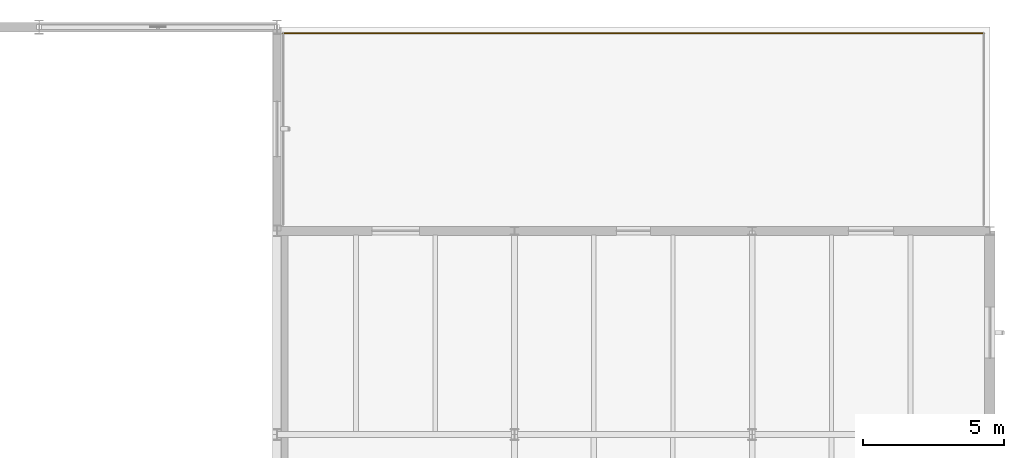
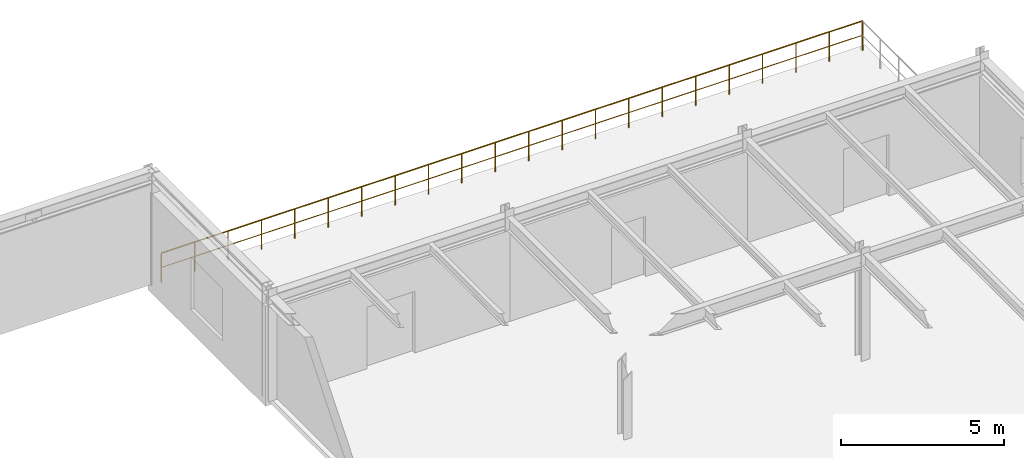
# One storey, part 108 of 109: 1 railing.
"""IFC4 building model written with IfcOpenShell, lengths in metres."""

from ifc_helpers import new_model, si_unit, derived_unit, direction, frame, origin, origin_2d, place, context, subcontext, project, spatial, circle, extrude, material, type_object, element, save


model = new_model("IFC4")

# Units and contexts
model_context = context("Model", 3, precision=1e-05, world=origin(), true_north=direction((0.0, 1.0)))
body_context = subcontext(model_context, "Body", "Model", "MODEL_VIEW")
ifc_project = project(units=[si_unit("LENGTHUNIT", "METRE"), si_unit("AREAUNIT", "SQUARE_METRE"), si_unit("VOLUMEUNIT", "CUBIC_METRE"), si_unit("PLANEANGLEUNIT", "RADIAN"), si_unit("MASSUNIT", "GRAM", prefix="KILO"), derived_unit("THERMALTRANSMITTANCEUNIT", [(si_unit("MASSUNIT", "GRAM", prefix="KILO"), 1), (si_unit("TIMEUNIT", "SECOND"), -3), (si_unit("THERMODYNAMICTEMPERATUREUNIT", "KELVIN"), -1)])], contexts=[model_context])

# Site, building, storey
site_placement = place(None, origin())
site = spatial("IfcSite", under=ifc_project, at=site_placement, CompositionType="ELEMENT")
building_placement = place(site_placement, origin())
building = spatial("IfcBuilding", under=site, at=building_placement, Name="Kharveza Railside Sports Centre", CompositionType="ELEMENT")
storey_placement = place(building_placement, frame((0.0, 0.0, 4.5)))
storey = spatial("IfcBuildingStorey", under=building, at=storey_placement, Name="L01", CompositionType="ELEMENT", Elevation=4.5)

# Railing
ifc_material = material(Name="Steel S275JR", Category="steel")
railing_type = type_object("IfcRailingType", Name="RL-GD110", PredefinedType="GUARDRAIL", material=ifc_material)
railing_placement = place(storey_placement, frame((167.800048828125, 107.780029296875, 0.0)))
element("IfcRailing", 1, at=railing_placement, inside=storey, type_object=railing_type, Name="RL-TERR-L01-03", PredefinedType="GUARDRAIL", context=body_context, shape_type="SweptSolid", body=[
    extrude(circle(Radius=0.02392578125, at=origin_2d()), frame((0.0, 0.0, 1.09619140625), z_axis=(-1.0, 0.0, 0.0), x_axis=(0.0, -1.0, 0.0)), (0.0, 0.0, 1.0), 24.800048828125),
    extrude(circle(Radius=0.01611328125, at=origin_2d()), frame((0.0, 0.0, 0.56005859375), z_axis=(-1.0, 0.0, 0.0), x_axis=(0.0, -1.0, 0.0)), (0.0, 0.0, 1.0), 24.800048828125),
    extrude(circle(Radius=0.02099609375, at=origin_2d()), origin(), (0.0, 0.0, 1.0), 1.072021484375),
    extrude(circle(Radius=0.02099609375, at=origin_2d()), frame((-1.180908203125, 0.0, 0.0)), (0.0, 0.0, 1.0), 1.072021484375),
    extrude(circle(Radius=0.02099609375, at=origin_2d()), frame((-2.36181640625, 0.0, 0.0)), (0.0, 0.0, 1.0), 1.072021484375),
    extrude(circle(Radius=0.02099609375, at=origin_2d()), frame((-3.54296875, 0.0, 0.0)), (0.0, 0.0, 1.0), 1.072021484375),
    extrude(circle(Radius=0.02099609375, at=origin_2d()), frame((-4.723876953125, 0.0, 0.0)), (0.0, 0.0, 1.0), 1.072021484375),
    extrude(circle(Radius=0.02099609375, at=origin_2d()), frame((-5.90478515625, 0.0, 0.0)), (0.0, 0.0, 1.0), 1.072021484375),
    extrude(circle(Radius=0.02099609375, at=origin_2d()), frame((-7.085693359375, 0.0, 0.0)), (0.0, 0.0, 1.0), 1.072021484375),
    extrude(circle(Radius=0.02099609375, at=origin_2d()), frame((-8.2666015625, 0.0, 0.0)), (0.0, 0.0, 1.0), 1.072021484375),
    extrude(circle(Radius=0.02099609375, at=origin_2d()), frame((-9.44775390625, 0.0, 0.0)), (0.0, 0.0, 1.0), 1.072021484375),
    extrude(circle(Radius=0.02099609375, at=origin_2d()), frame((-10.628662109375, 0.0, 0.0)), (0.0, 0.0, 1.0), 1.072021484375),
    extrude(circle(Radius=0.02099609375, at=origin_2d()), frame((-11.8095703125, 0.0, 0.0)), (0.0, 0.0, 1.0), 1.072021484375),
    extrude(circle(Radius=0.02099609375, at=origin_2d()), frame((-12.990478515625, 0.0, 0.0)), (0.0, 0.0, 1.0), 1.072021484375),
    extrude(circle(Radius=0.02099609375, at=origin_2d()), frame((-14.17138671875, 0.0, 0.0)), (0.0, 0.0, 1.0), 1.072021484375),
    extrude(circle(Radius=0.02099609375, at=origin_2d()), frame((-15.352294921875, 0.0, 0.0)), (0.0, 0.0, 1.0), 1.072021484375),
    extrude(circle(Radius=0.02099609375, at=origin_2d()), frame((-16.533447265625, 0.0, 0.0)), (0.0, 0.0, 1.0), 1.072021484375),
    extrude(circle(Radius=0.02099609375, at=origin_2d()), frame((-17.71435546875, 0.0, 0.0)), (0.0, 0.0, 1.0), 1.072021484375),
    extrude(circle(Radius=0.02099609375, at=origin_2d()), frame((-18.895263671875, 0.0, 0.0)), (0.0, 0.0, 1.0), 1.072021484375),
    extrude(circle(Radius=0.02099609375, at=origin_2d()), frame((-20.076171875, 0.0, 0.0)), (0.0, 0.0, 1.0), 1.072021484375),
    extrude(circle(Radius=0.02099609375, at=origin_2d()), frame((-21.257080078125, 0.0, 0.0)), (0.0, 0.0, 1.0), 1.072021484375),
    extrude(circle(Radius=0.02099609375, at=origin_2d()), frame((-22.438232421875, 0.0, 0.0)), (0.0, 0.0, 1.0), 1.072021484375),
    extrude(circle(Radius=0.02099609375, at=origin_2d()), frame((-23.619140625, 0.0, 0.0)), (0.0, 0.0, 1.0), 1.072021484375),
    extrude(circle(Radius=0.02099609375, at=origin_2d()), frame((-24.800048828125, 0.0, 0.0)), (0.0, 0.0, 1.0), 1.072021484375),
])

save(model, "model.ifc")
